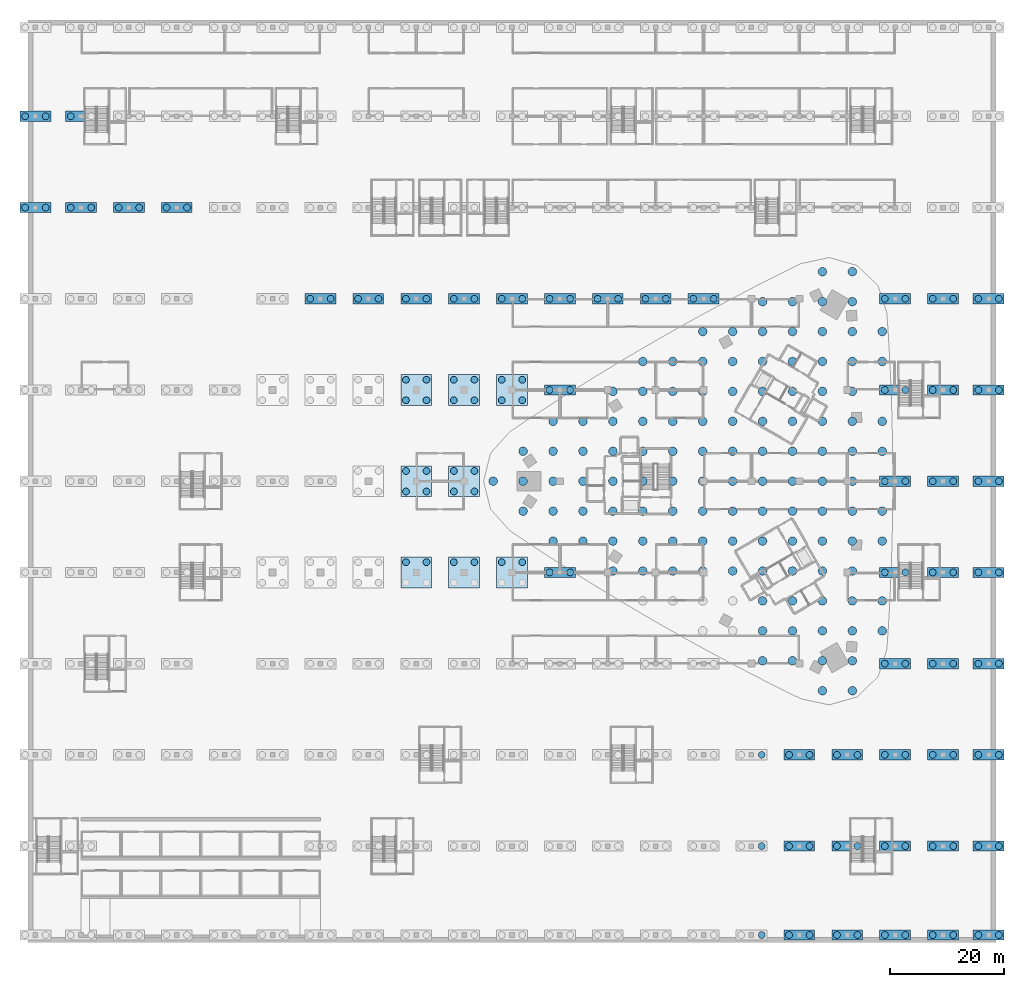
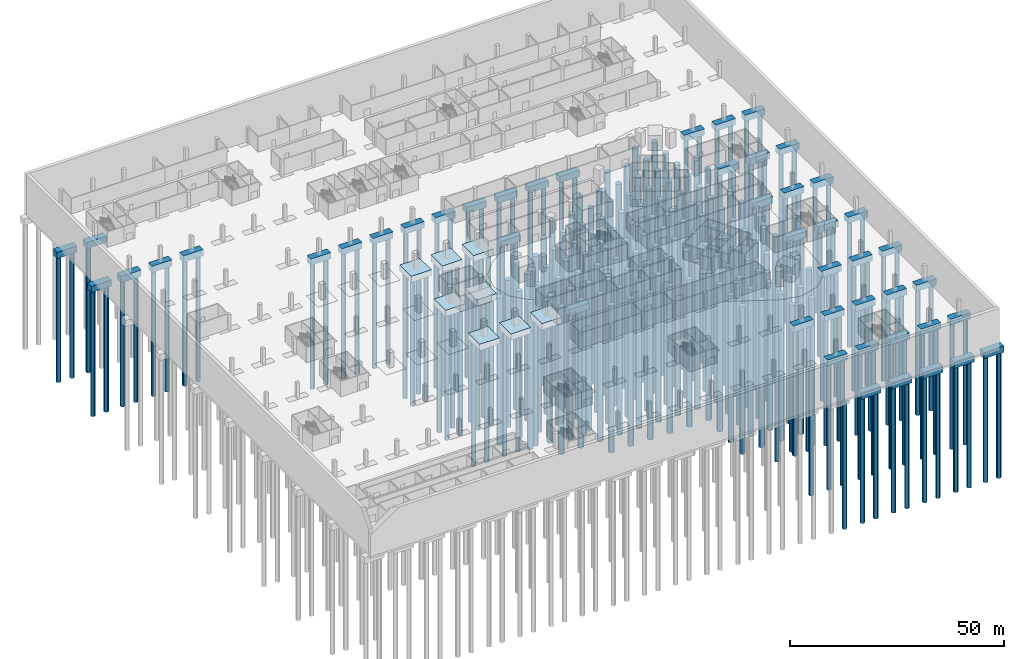
# One storey, part 2 of 46: 241 piles, 55 footings.
"""IFC4 building model written with IfcOpenShell, lengths in metres."""

from ifc_helpers import new_model, si_unit, direction, frame, origin, origin_2d, place, context, subcontext, project, spatial, rectangle, circle, extrude, material, material_profile, profile_set, type_object, element, save


model = new_model("IFC4")

# Units and contexts
model_context = context("Model", 3, precision=1e-05, world=origin(), true_north=direction((0.0, 1.0)))
body_context = subcontext(model_context, "Body", "Model", "MODEL_VIEW")
ifc_project = project(units=[si_unit("LENGTHUNIT", "METRE"), si_unit("AREAUNIT", "SQUARE_METRE"), si_unit("VOLUMEUNIT", "CUBIC_METRE"), si_unit("PLANEANGLEUNIT", "RADIAN"), si_unit("MASSUNIT", "GRAM", prefix="KILO")], contexts=[model_context])

# Site, building, storey
site_placement = place(None, origin())
site = spatial("IfcSite", under=ifc_project, at=site_placement, CompositionType="ELEMENT")
building_placement = place(site_placement, origin())
building = spatial("IfcBuilding", under=site, at=building_placement, Name="Tamra Quay Hotel Tower", CompositionType="ELEMENT")
storey_placement = place(building_placement, frame((0.0, 0.0, -12.0)))
storey = spatial("IfcBuildingStorey", under=building, at=storey_placement, Name="B3", CompositionType="ELEMENT", Elevation=-12.0)

# Piles
ifc_material_1 = material(Name="Concrete M40", Category="concrete")
ifc_material_profile_1 = material_profile(ifc_material_1, circle(Radius=0.60009765625, at=origin_2d()), Name="BORED PILE 1200")
ifc_profile_set_1 = profile_set([ifc_material_profile_1], Name="Concrete M40")
pile_type_1 = type_object("IfcPileType", Name="BORED PILE 1200", PredefinedType="BORED", material=ifc_profile_set_1)
for number, where, z_axis, x_axis, name in (
    (1, (-124.10009765625, 48.0, -1.60009765625), (0.0, 0.0, -1.0), (1.0, 0.0, 0.0), "PILE-BC009-1"),
    (2, (-120.5, 48.0, -1.60009765625), (0.0, 0.0, -1.0), (1.0, 0.0, 0.0), "PILE-BC009-2"),
    (3, (-124.10009765625, 64.0, -1.60009765625), (0.0, 0.0, -1.0), (1.0, 0.0, 0.0), "PILE-BC010-1"),
    (4, (-120.5, 64.0, -1.60009765625), (0.0, 0.0, -1.0), (1.0, 0.0, 0.0), "PILE-BC010-2"),
    (5, (-116.10009765625, 48.0, -1.60009765625), (0.0, 0.0, -1.0), (1.0, 0.0, 0.0), "PILE-BC020-1"),
    (6, (-112.5, 48.0, -1.60009765625), (0.0, 0.0, -1.0), (1.0, 0.0, 0.0), "PILE-BC020-2"),
    (7, (-116.10009765625, 64.0, -1.60009765625), (0.0, 0.0, -1.0), (1.0, 0.0, 0.0), "PILE-BC021-1"),
    (8, (-107.699951171875, 48.0, -1.60009765625), (0.0, 0.0, -1.0), (1.0, 0.0, 0.0), "PILE-BC030-1"),
    (9, (-104.10009765625, 48.0, -1.60009765625), (0.0, 0.0, -1.0), (1.0, 0.0, 0.0), "PILE-BC030-2"),
    (10, (-99.300048828125, 48.0, -1.60009765625), (0.0, 0.0, -1.0), (1.0, 0.0, 0.0), "PILE-BC040-1"),
    (11, (-95.699951171875, 48.0, -1.60009765625), (0.0, 0.0, -1.0), (1.0, 0.0, 0.0), "PILE-BC040-2"),
    (12, (-74.10009765625, 32.0, -1.60009765625), (0.0, 0.0, -1.0), (1.0, 0.0, 0.0), "PILE-BC068-1"),
    (13, (-70.5, 32.0, -1.60009765625), (0.0, 0.0, -1.0), (1.0, 0.0, 0.0), "PILE-BC068-2"),
    (14, (-65.699951171875, 32.0, -1.60009765625), (0.0, 0.0, -1.0), (1.0, 0.0, 0.0), "PILE-BC079-1"),
    (15, (-62.10009765625, 32.0, -1.60009765625), (0.0, 0.0, -1.0), (1.0, 0.0, 0.0), "PILE-BC079-2"),
    (16, (-57.300048828125, -14.199951171875, -1.60009765625), (0.0, 0.0, -1.0), (1.0, 0.0, 0.0), "PILE-BC087-3"),
    (17, (-53.699951171875, -14.199951171875, -1.60009765625), (0.0, 0.0, -1.0), (1.0, 0.0, 0.0), "PILE-BC087-4"),
    (18, (-57.300048828125, -1.800048828125, -1.60009765625), (0.0, 0.0, -1.0), (1.0, 0.0, 0.0), "PILE-BC088-1"),
    (19, (-53.699951171875, -1.800048828125, -1.60009765625), (0.0, 0.0, -1.0), (1.0, 0.0, 0.0), "PILE-BC088-2"),
    (20, (-57.300048828125, 1.800048828125, -1.60009765625), (0.0, 0.0, -1.0), (1.0, 0.0, 0.0), "PILE-BC088-3"),
    (21, (-53.699951171875, 1.800048828125, -1.60009765625), (0.0, 0.0, -1.0), (1.0, 0.0, 0.0), "PILE-BC088-4"),
    (22, (-57.300048828125, 14.199951171875, -1.60009765625), (0.0, 0.0, -1.0), (1.0, 0.0, 0.0), "PILE-BC089-1"),
    (23, (-53.699951171875, 14.199951171875, -1.60009765625), (0.0, 0.0, -1.0), (1.0, 0.0, 0.0), "PILE-BC089-2"),
    (24, (-57.300048828125, 17.800048828125, -1.60009765625), (0.0, 0.0, -1.0), (1.0, 0.0, 0.0), "PILE-BC089-3"),
    (25, (-53.699951171875, 17.800048828125, -1.60009765625), (0.0, 0.0, -1.0), (1.0, 0.0, 0.0), "PILE-BC089-4"),
    (26, (-57.300048828125, 32.0, -1.60009765625), (0.0, 0.0, -1.0), (1.0, 0.0, 0.0), "PILE-BC090-1"),
    (27, (-53.699951171875, 32.0, -1.60009765625), (0.0, 0.0, -1.0), (1.0, 0.0, 0.0), "PILE-BC090-2"),
    (28, (-48.89990234375, -14.199951171875, -1.60009765625), (0.0, 0.0, -1.0), (1.0, 0.0, 0.0), "PILE-BC098-3"),
    (29, (-45.300048828125, -14.199951171875, -1.60009765625), (0.0, 0.0, -1.0), (1.0, 0.0, 0.0), "PILE-BC098-4"),
    (30, (-48.89990234375, -1.800048828125, -1.60009765625), (0.0, 0.0, -1.0), (1.0, 0.0, 0.0), "PILE-BC099-1"),
    (31, (-45.300048828125, -1.800048828125, -1.60009765625), (0.0, 0.0, -1.0), (1.0, 0.0, 0.0), "PILE-BC099-2"),
    (32, (-48.89990234375, 1.800048828125, -1.60009765625), (0.0, 0.0, -1.0), (1.0, 0.0, 0.0), "PILE-BC099-3"),
    (33, (-45.300048828125, 1.800048828125, -1.60009765625), (0.0, 0.0, -1.0), (1.0, 0.0, 0.0), "PILE-BC099-4"),
    (34, (-48.89990234375, 14.199951171875, -1.60009765625), (0.0, 0.0, -1.0), (1.0, 0.0, 0.0), "PILE-BC100-1"),
    (35, (-45.300048828125, 14.199951171875, -1.60009765625), (0.0, 0.0, -1.0), (1.0, 0.0, 0.0), "PILE-BC100-2"),
    (36, (-48.89990234375, 17.800048828125, -1.60009765625), (0.0, 0.0, -1.0), (1.0, 0.0, 0.0), "PILE-BC100-3"),
    (37, (-45.300048828125, 17.800048828125, -1.60009765625), (0.0, 0.0, -1.0), (1.0, 0.0, 0.0), "PILE-BC100-4"),
    (38, (-48.89990234375, 32.0, -1.60009765625), (0.0, 0.0, -1.0), (1.0, 0.0, 0.0), "PILE-BC101-1"),
    (39, (-45.300048828125, 32.0, -1.60009765625), (0.0, 0.0, -1.0), (1.0, 0.0, 0.0), "PILE-BC101-2"),
    (40, (-40.5, -14.199951171875, -1.60009765625), (0.0, 0.0, -1.0), (1.0, 0.0, 0.0), "PILE-BC109-3"),
    (41, (-36.89990234375, -14.199951171875, -1.60009765625), (0.0, 0.0, -1.0), (1.0, 0.0, 0.0), "PILE-BC109-4"),
    (42, (-40.5, 14.199951171875, -1.60009765625), (0.0, 0.0, -1.0), (1.0, 0.0, 0.0), "PILE-BC110-1"),
    (43, (-36.89990234375, 14.199951171875, -1.60009765625), (0.0, 0.0, -1.0), (1.0, 0.0, 0.0), "PILE-BC110-2"),
    (44, (-40.5, 17.800048828125, -1.60009765625), (0.0, 0.0, -1.0), (1.0, 0.0, 0.0), "PILE-BC110-3"),
    (45, (-36.89990234375, 17.800048828125, -1.60009765625), (0.0, 0.0, -1.0), (1.0, 0.0, 0.0), "PILE-BC110-4"),
    (46, (-40.5, 32.0, -1.60009765625), (0.0, 0.0, -1.0), (1.0, 0.0, 0.0), "PILE-BC111-1"),
    (47, (-36.89990234375, 32.0, -1.60009765625), (0.0, 0.0, -1.0), (1.0, 0.0, 0.0), "PILE-BC111-2"),
    (48, (-32.10009765625, -16.0, -1.60009765625), (0.0, 0.0, -1.0), (1.0, 0.0, 0.0), "PILE-BC119-1"),
    (49, (-28.5, -16.0, -1.60009765625), (0.0, 0.0, -1.0), (1.0, 0.0, 0.0), "PILE-BC119-2"),
    (50, (-32.10009765625, 16.0, -1.60009765625), (0.0, 0.0, -1.0), (1.0, 0.0, 0.0), "PILE-BC121-1"),
    (51, (-28.5, 16.0, -1.60009765625), (0.0, 0.0, -1.0), (1.0, 0.0, 0.0), "PILE-BC121-2"),
    (52, (-32.10009765625, 32.0, -1.60009765625), (0.0, 0.0, -1.0), (1.0, 0.0, 0.0), "PILE-BC122-1"),
    (53, (-28.5, 32.0, -1.60009765625), (0.0, 0.0, -1.0), (1.0, 0.0, 0.0), "PILE-BC122-2"),
    (54, (-23.699951171875, 32.0, -1.60009765625), (0.0, 0.0, -1.0), (1.0, 0.0, 0.0), "PILE-BC132-1"),
    (55, (-20.10009765625, 32.0, -1.60009765625), (0.0, 0.0, -1.0), (1.0, 0.0, 0.0), "PILE-BC132-2"),
    (56, (-15.300048828125, 32.0, -1.60009765625), (0.0, 0.0, -1.0), (1.0, 0.0, 0.0), "PILE-BC142-1"),
    (57, (-11.699951171875, 32.0, -1.60009765625), (0.0, 0.0, -1.0), (1.0, 0.0, 0.0), "PILE-BC142-2"),
    (58, (-6.89990234375, 32.0, -1.60009765625), (0.0, 0.0, -1.0), (1.0, 0.0, 0.0), "PILE-BC153-1"),
    (59, (-3.300048828125, 32.0, -1.60009765625), (0.0, 0.0, -1.0), (1.0, 0.0, 0.0), "PILE-BC153-2"),
    (60, (5.10009765625, -79.60009765625, -1.60009765625), (0.0, 0.0, -1.0), (1.0, 0.0, 0.0), "PILE-BC157-2"),
    (61, (5.10009765625, -64.0, -1.60009765625), (0.0, 0.0, -1.0), (1.0, 0.0, 0.0), "PILE-BC158-2"),
    (62, (5.10009765625, -48.0, -1.60009765625), (0.0, 0.0, -1.0), (1.0, 0.0, 0.0), "PILE-BC159-2"),
    (63, (9.89990234375, -79.60009765625, -1.60009765625), (0.0, 0.0, -1.0), (1.0, 0.0, 0.0), "PILE-BC166-1"),
    (64, (13.5, -79.60009765625, -1.60009765625), (0.0, 0.0, -1.0), (1.0, 0.0, 0.0), "PILE-BC166-2"),
    (65, (9.89990234375, -64.0, -1.60009765625), (0.0, 0.0, -1.0), (1.0, 0.0, 0.0), "PILE-BC167-1"),
    (66, (13.5, -64.0, -1.60009765625), (0.0, 0.0, -1.0), (1.0, 0.0, 0.0), "PILE-BC167-2"),
    (67, (9.89990234375, -48.0, -1.60009765625), (0.0, 0.0, -1.0), (1.0, 0.0, 0.0), "PILE-BC168-1"),
    (68, (13.5, -48.0, -1.60009765625), (0.0, 0.0, -1.0), (1.0, 0.0, 0.0), "PILE-BC168-2"),
    (69, (18.300048828125, -79.60009765625, -1.60009765625), (0.0, 0.0, -1.0), (1.0, 0.0, 0.0), "PILE-BC175-1"),
    (70, (21.89990234375, -79.60009765625, -1.60009765625), (0.0, 0.0, -1.0), (1.0, 0.0, 0.0), "PILE-BC175-2"),
    (71, (18.300048828125, -64.0, -1.60009765625), (0.0, 0.0, -1.0), (1.0, 0.0, 0.0), "PILE-BC176-1"),
    (72, (21.89990234375, -64.0, -1.60009765625), (0.0, 0.0, -1.0), (1.0, 0.0, 0.0), "PILE-BC176-2"),
    (73, (18.300048828125, -48.0, -1.60009765625), (0.0, 0.0, -1.0), (1.0, 0.0, 0.0), "PILE-BC177-1"),
    (74, (21.89990234375, -48.0, -1.60009765625), (0.0, 0.0, -1.0), (1.0, 0.0, 0.0), "PILE-BC177-2"),
    (75, (26.699951171875, -79.60009765625, -1.60009765625), (0.0, 0.0, -1.0), (1.0, 0.0, 0.0), "PILE-BC184-1"),
    (76, (30.300048828125, -79.60009765625, -1.60009765625), (0.0, 0.0, -1.0), (1.0, 0.0, 0.0), "PILE-BC184-2"),
    (77, (26.699951171875, -64.0, -1.60009765625), (0.0, 0.0, -1.0), (1.0, 0.0, 0.0), "PILE-BC185-1"),
    (78, (30.300048828125, -64.0, -1.60009765625), (0.0, 0.0, -1.0), (1.0, 0.0, 0.0), "PILE-BC185-2"),
    (79, (26.699951171875, -48.0, -1.60009765625), (0.0, 0.0, -1.0), (1.0, 0.0, 0.0), "PILE-BC186-1"),
    (80, (30.300048828125, -48.0, -1.60009765625), (0.0, 0.0, -1.0), (1.0, 0.0, 0.0), "PILE-BC186-2"),
    (81, (26.699951171875, -32.0, -1.60009765625), (0.0, 0.0, -1.0), (1.0, 0.0, 0.0), "PILE-BC187-1"),
    (82, (30.300048828125, -32.0, -1.60009765625), (0.0, 0.0, -1.0), (1.0, 0.0, 0.0), "PILE-BC187-2"),
    (83, (26.699951171875, -16.0, -1.60009765625), (0.0, 0.0, -1.0), (1.0, 0.0, 0.0), "PILE-BC188-1"),
    (84, (30.300048828125, -16.0, -1.60009765625), (0.0, 0.0, -1.0), (1.0, 0.0, 0.0), "PILE-BC188-2"),
    (85, (26.699951171875, 0.0, -1.60009765625), (0.0, 0.0, -1.0), (1.0, 0.0, 0.0), "PILE-BC189-1"),
    (86, (30.300048828125, 0.0, -1.60009765625), (0.0, 0.0, -1.0), (1.0, 0.0, 0.0), "PILE-BC189-2"),
    (87, (26.699951171875, 16.0, -1.60009765625), (0.0, 0.0, -1.0), (1.0, 0.0, 0.0), "PILE-BC190-1"),
    (88, (30.300048828125, 16.0, -1.60009765625), (0.0, 0.0, -1.0), (1.0, 0.0, 0.0), "PILE-BC190-2"),
    (89, (26.699951171875, 32.0, -1.60009765625), (0.0, 0.0, -1.0), (1.0, 0.0, 0.0), "PILE-BC191-1"),
    (90, (30.300048828125, 32.0, -1.60009765625), (0.0, 0.0, -1.0), (1.0, 0.0, 0.0), "PILE-BC191-2"),
    (91, (35.10009765625, -79.60009765625, -1.60009765625), (0.0, 0.0, -1.0), (1.0, 0.0, 0.0), "PILE-BC195-1"),
    (92, (38.699951171875, -79.60009765625, -1.60009765625), (0.0, 0.0, -1.0), (1.0, 0.0, 0.0), "PILE-BC195-2"),
    (93, (35.10009765625, -64.0, -1.60009765625), (0.0, 0.0, -1.0), (1.0, 0.0, 0.0), "PILE-BC196-1"),
    (94, (38.699951171875, -64.0, -1.60009765625), (0.0, 0.0, -1.0), (1.0, 0.0, 0.0), "PILE-BC196-2"),
    (95, (35.10009765625, -48.0, -1.60009765625), (0.0, 0.0, -1.0), (1.0, 0.0, 0.0), "PILE-BC197-1"),
    (96, (38.699951171875, -48.0, -1.60009765625), (0.0, 0.0, -1.0), (1.0, 0.0, 0.0), "PILE-BC197-2"),
    (97, (35.10009765625, -32.0, -1.60009765625), (0.0, 0.0, -1.0), (1.0, 0.0, 0.0), "PILE-BC198-1"),
    (98, (38.699951171875, -32.0, -1.60009765625), (0.0, 0.0, -1.0), (1.0, 0.0, 0.0), "PILE-BC198-2"),
    (99, (35.10009765625, -16.0, -1.60009765625), (0.0, 0.0, -1.0), (1.0, 0.0, 0.0), "PILE-BC199-1"),
    (100, (38.699951171875, -16.0, -1.60009765625), (0.0, 0.0, -1.0), (1.0, 0.0, 0.0), "PILE-BC199-2"),
    (101, (35.10009765625, 0.0, -1.60009765625), (0.0, 0.0, -1.0), (1.0, 0.0, 0.0), "PILE-BC200-1"),
    (102, (38.699951171875, 0.0, -1.60009765625), (0.0, 0.0, -1.0), (1.0, 0.0, 0.0), "PILE-BC200-2"),
    (103, (35.10009765625, 16.0, -1.60009765625), (0.0, 0.0, -1.0), (1.0, 0.0, 0.0), "PILE-BC201-1"),
    (104, (38.699951171875, 16.0, -1.60009765625), (0.0, 0.0, -1.0), (1.0, 0.0, 0.0), "PILE-BC201-2"),
    (105, (35.10009765625, 32.0, -1.60009765625), (0.0, 0.0, -1.0), (1.0, 0.0, 0.0), "PILE-BC202-1"),
    (106, (38.699951171875, 32.0, -1.60009765625), (0.0, 0.0, -1.0), (1.0, 0.0, 0.0), "PILE-BC202-2"),
    (107, (43.10009765625, -79.60009765625, -1.60009765625), (0.0, 0.0, -1.0), (1.0, 0.0, 0.0), "PILE-BC206-1"),
    (108, (46.699951171875, -79.60009765625, -1.60009765625), (0.0, 0.0, -1.0), (1.0, 0.0, 0.0), "PILE-BC206-2"),
    (109, (43.10009765625, -64.0, -1.60009765625), (0.0, 0.0, -1.0), (1.0, 0.0, 0.0), "PILE-BC207-1"),
    (110, (46.699951171875, -64.0, -1.60009765625), (0.0, 0.0, -1.0), (1.0, 0.0, 0.0), "PILE-BC207-2"),
    (111, (43.10009765625, -48.0, -1.60009765625), (0.0, 0.0, -1.0), (1.0, 0.0, 0.0), "PILE-BC208-1"),
    (112, (46.699951171875, -48.0, -1.60009765625), (0.0, 0.0, -1.0), (1.0, 0.0, 0.0), "PILE-BC208-2"),
    (113, (43.10009765625, -32.0, -1.60009765625), (0.0, 0.0, -1.0), (1.0, 0.0, 0.0), "PILE-BC209-1"),
    (114, (46.699951171875, -32.0, -1.60009765625), (0.0, 0.0, -1.0), (1.0, 0.0, 0.0), "PILE-BC209-2"),
    (115, (43.10009765625, -16.0, -1.60009765625), (0.0, 0.0, -1.0), (1.0, 0.0, 0.0), "PILE-BC210-1"),
    (116, (46.699951171875, -16.0, -1.60009765625), (0.0, 0.0, -1.0), (1.0, 0.0, 0.0), "PILE-BC210-2"),
    (117, (43.10009765625, 0.0, -1.60009765625), (0.0, 0.0, -1.0), (1.0, 0.0, 0.0), "PILE-BC211-1"),
    (118, (46.699951171875, 0.0, -1.60009765625), (0.0, 0.0, -1.0), (1.0, 0.0, 0.0), "PILE-BC211-2"),
    (119, (43.10009765625, 16.0, -1.60009765625), (0.0, 0.0, -1.0), (1.0, 0.0, 0.0), "PILE-BC212-1"),
    (120, (46.699951171875, 16.0, -1.60009765625), (0.0, 0.0, -1.0), (1.0, 0.0, 0.0), "PILE-BC212-2"),
    (121, (43.10009765625, 32.0, -1.60009765625), (0.0, 0.0, -1.0), (1.0, 0.0, 0.0), "PILE-BC213-1"),
    (122, (46.699951171875, 32.0, -1.60009765625), (0.0, 0.0, -1.0), (1.0, 0.0, 0.0), "PILE-BC213-2"),
):
    element("IfcPile", number, at=place(storey_placement, frame(where, z_axis=z_axis, x_axis=x_axis)), inside=storey, type_object=pile_type_1, Name=name, PredefinedType="BORED", context=body_context, shape_type="SweptSolid", body=[
        extrude(circle(Radius=0.60009765625, at=origin_2d()), origin(), (0.0, 0.0, 1.0), 36.0),
    ])
ifc_material_profile_2 = material_profile(ifc_material_1, circle(Radius=0.75, at=origin_2d()), Name="BORED PILE 1500")
ifc_profile_set_2 = profile_set([ifc_material_profile_2], Name="Concrete M40")
pile_type_2 = type_object("IfcPileType", Name="BORED PILE 1500", PredefinedType="BORED", material=ifc_profile_set_2)
for number, where, z_axis, x_axis, name in (
    (123, (-42.0, 0.0, -3.300048828125), (0.0, 0.0, -1.0), (1.0, 0.0, 0.0), "PILE-R001"),
    (124, (-36.75, -5.25, -3.300048828125), (0.0, 0.0, -1.0), (1.0, 0.0, 0.0), "PILE-R002"),
    (125, (-36.75, 0.0, -3.300048828125), (0.0, 0.0, -1.0), (1.0, 0.0, 0.0), "PILE-R003"),
    (126, (-36.75, 5.25, -3.300048828125), (0.0, 0.0, -1.0), (1.0, 0.0, 0.0), "PILE-R004"),
    (127, (-31.5, -10.5, -3.300048828125), (0.0, 0.0, -1.0), (1.0, 0.0, 0.0), "PILE-R005"),
    (128, (-31.5, -5.25, -3.300048828125), (0.0, 0.0, -1.0), (1.0, 0.0, 0.0), "PILE-R006"),
    (129, (-31.5, 0.0, -3.300048828125), (0.0, 0.0, -1.0), (1.0, 0.0, 0.0), "PILE-R007"),
    (130, (-31.5, 5.25, -3.300048828125), (0.0, 0.0, -1.0), (1.0, 0.0, 0.0), "PILE-R008"),
    (131, (-31.5, 10.5, -3.300048828125), (0.0, 0.0, -1.0), (1.0, 0.0, 0.0), "PILE-R009"),
    (132, (-26.25, -10.5, -3.300048828125), (0.0, 0.0, -1.0), (1.0, 0.0, 0.0), "PILE-R010"),
    (133, (-26.25, -5.25, -3.300048828125), (0.0, 0.0, -1.0), (1.0, 0.0, 0.0), "PILE-R011"),
    (134, (-26.25, 0.0, -3.300048828125), (0.0, 0.0, -1.0), (1.0, 0.0, 0.0), "PILE-R012"),
    (135, (-26.25, 5.25, -3.300048828125), (0.0, 0.0, -1.0), (1.0, 0.0, 0.0), "PILE-R013"),
    (136, (-26.25, 10.5, -3.300048828125), (0.0, 0.0, -1.0), (1.0, 0.0, 0.0), "PILE-R014"),
    (137, (-21.0, -15.75, -3.300048828125), (0.0, 0.0, -1.0), (1.0, 0.0, 0.0), "PILE-R015"),
    (138, (-21.0, -10.5, -3.300048828125), (0.0, 0.0, -1.0), (1.0, 0.0, 0.0), "PILE-R016"),
    (139, (-21.0, -5.25, -3.300048828125), (0.0, 0.0, -1.0), (1.0, 0.0, 0.0), "PILE-R017"),
    (140, (-21.0, 0.0, -3.300048828125), (0.0, 0.0, -1.0), (1.0, 0.0, 0.0), "PILE-R018"),
    (141, (-21.0, 5.25, -3.300048828125), (0.0, 0.0, -1.0), (1.0, 0.0, 0.0), "PILE-R019"),
    (142, (-21.0, 10.5, -3.300048828125), (0.0, 0.0, -1.0), (1.0, 0.0, 0.0), "PILE-R020"),
    (143, (-21.0, 15.75, -3.300048828125), (0.0, 0.0, -1.0), (1.0, 0.0, 0.0), "PILE-R021"),
    (144, (-15.75, -15.75, -3.300048828125), (0.0, 0.0, -1.0), (1.0, 0.0, 0.0), "PILE-R023"),
    (145, (-15.75, -10.5, -3.300048828125), (0.0, 0.0, -1.0), (1.0, 0.0, 0.0), "PILE-R024"),
    (146, (-15.75, -5.25, -3.300048828125), (0.0, 0.0, -1.0), (1.0, 0.0, 0.0), "PILE-R025"),
    (147, (-15.75, 0.0, -3.300048828125), (0.0, 0.0, -1.0), (1.0, 0.0, 0.0), "PILE-R026"),
    (148, (-15.75, 5.25, -3.300048828125), (0.0, 0.0, -1.0), (1.0, 0.0, 0.0), "PILE-R027"),
    (149, (-15.75, 10.5, -3.300048828125), (0.0, 0.0, -1.0), (1.0, 0.0, 0.0), "PILE-R028"),
    (150, (-15.75, 15.75, -3.300048828125), (0.0, 0.0, -1.0), (1.0, 0.0, 0.0), "PILE-R029"),
    (151, (-15.75, 21.0, -3.300048828125), (0.0, 0.0, -1.0), (1.0, 0.0, 0.0), "PILE-R030"),
    (152, (-10.5, -15.75, -3.300048828125), (0.0, 0.0, -1.0), (1.0, 0.0, 0.0), "PILE-R032"),
    (153, (-10.5, -10.5, -3.300048828125), (0.0, 0.0, -1.0), (1.0, 0.0, 0.0), "PILE-R033"),
    (154, (-10.5, -5.25, -3.300048828125), (0.0, 0.0, -1.0), (1.0, 0.0, 0.0), "PILE-R034"),
    (155, (-10.5, 0.0, -3.300048828125), (0.0, 0.0, -1.0), (1.0, 0.0, 0.0), "PILE-R035"),
    (156, (-10.5, 5.25, -3.300048828125), (0.0, 0.0, -1.0), (1.0, 0.0, 0.0), "PILE-R036"),
    (157, (-10.5, 10.5, -3.300048828125), (0.0, 0.0, -1.0), (1.0, 0.0, 0.0), "PILE-R037"),
    (158, (-10.5, 15.75, -3.300048828125), (0.0, 0.0, -1.0), (1.0, 0.0, 0.0), "PILE-R038"),
    (159, (-10.5, 21.0, -3.300048828125), (0.0, 0.0, -1.0), (1.0, 0.0, 0.0), "PILE-R039"),
    (160, (-5.25, -15.75, -3.300048828125), (0.0, 0.0, -1.0), (1.0, 0.0, 0.0), "PILE-R042"),
    (161, (-5.25, -10.5, -3.300048828125), (0.0, 0.0, -1.0), (1.0, 0.0, 0.0), "PILE-R043"),
    (162, (-5.25, -5.25, -3.300048828125), (0.0, 0.0, -1.0), (1.0, 0.0, 0.0), "PILE-R044"),
    (163, (-5.25, 0.0, -3.300048828125), (0.0, 0.0, -1.0), (1.0, 0.0, 0.0), "PILE-R045"),
    (164, (-5.25, 5.25, -3.300048828125), (0.0, 0.0, -1.0), (1.0, 0.0, 0.0), "PILE-R046"),
    (165, (-5.25, 10.5, -3.300048828125), (0.0, 0.0, -1.0), (1.0, 0.0, 0.0), "PILE-R047"),
    (166, (-5.25, 15.75, -3.300048828125), (0.0, 0.0, -1.0), (1.0, 0.0, 0.0), "PILE-R048"),
    (167, (-5.25, 21.0, -3.300048828125), (0.0, 0.0, -1.0), (1.0, 0.0, 0.0), "PILE-R049"),
    (168, (-5.25, 26.25, -3.300048828125), (0.0, 0.0, -1.0), (1.0, 0.0, 0.0), "PILE-R050"),
    (169, (0.0, -15.75, -3.300048828125), (0.0, 0.0, -1.0), (1.0, 0.0, 0.0), "PILE-R053"),
    (170, (0.0, -10.5, -3.300048828125), (0.0, 0.0, -1.0), (1.0, 0.0, 0.0), "PILE-R054"),
    (171, (0.0, -5.25, -3.300048828125), (0.0, 0.0, -1.0), (1.0, 0.0, 0.0), "PILE-R055"),
    (172, (0.0, 0.0, -3.300048828125), (0.0, 0.0, -1.0), (1.0, 0.0, 0.0), "PILE-R056"),
    (173, (0.0, 5.25, -3.300048828125), (0.0, 0.0, -1.0), (1.0, 0.0, 0.0), "PILE-R057"),
    (174, (0.0, 10.5, -3.300048828125), (0.0, 0.0, -1.0), (1.0, 0.0, 0.0), "PILE-R058"),
    (175, (0.0, 15.75, -3.300048828125), (0.0, 0.0, -1.0), (1.0, 0.0, 0.0), "PILE-R059"),
    (176, (0.0, 21.0, -3.300048828125), (0.0, 0.0, -1.0), (1.0, 0.0, 0.0), "PILE-R060"),
    (177, (0.0, 26.25, -3.300048828125), (0.0, 0.0, -1.0), (1.0, 0.0, 0.0), "PILE-R061"),
    (178, (5.25, -31.5, -3.300048828125), (0.0, 0.0, -1.0), (1.0, 0.0, 0.0), "PILE-R062"),
    (179, (5.25, -26.25, -3.300048828125), (0.0, 0.0, -1.0), (1.0, 0.0, 0.0), "PILE-R063"),
    (180, (5.25, -21.0, -3.300048828125), (0.0, 0.0, -1.0), (1.0, 0.0, 0.0), "PILE-R064"),
    (181, (5.25, -15.75, -3.300048828125), (0.0, 0.0, -1.0), (1.0, 0.0, 0.0), "PILE-R065"),
    (182, (5.25, -10.5, -3.300048828125), (0.0, 0.0, -1.0), (1.0, 0.0, 0.0), "PILE-R066"),
    (183, (5.25, -5.25, -3.300048828125), (0.0, 0.0, -1.0), (1.0, 0.0, 0.0), "PILE-R067"),
    (184, (5.25, 0.0, -3.300048828125), (0.0, 0.0, -1.0), (1.0, 0.0, 0.0), "PILE-R068"),
    (185, (5.25, 5.25, -3.300048828125), (0.0, 0.0, -1.0), (1.0, 0.0, 0.0), "PILE-R069"),
    (186, (5.25, 10.5, -3.300048828125), (0.0, 0.0, -1.0), (1.0, 0.0, 0.0), "PILE-R070"),
    (187, (5.25, 15.75, -3.300048828125), (0.0, 0.0, -1.0), (1.0, 0.0, 0.0), "PILE-R071"),
    (188, (5.25, 21.0, -3.300048828125), (0.0, 0.0, -1.0), (1.0, 0.0, 0.0), "PILE-R072"),
    (189, (5.25, 26.25, -3.300048828125), (0.0, 0.0, -1.0), (1.0, 0.0, 0.0), "PILE-R073"),
    (190, (5.25, 31.5, -3.300048828125), (0.0, 0.0, -1.0), (1.0, 0.0, 0.0), "PILE-R074"),
    (191, (10.5, -31.5, -3.300048828125), (0.0, 0.0, -1.0), (1.0, 0.0, 0.0), "PILE-R075"),
    (192, (10.5, -26.25, -3.300048828125), (0.0, 0.0, -1.0), (1.0, 0.0, 0.0), "PILE-R076"),
    (193, (10.5, -21.0, -3.300048828125), (0.0, 0.0, -1.0), (1.0, 0.0, 0.0), "PILE-R077"),
    (194, (10.5, -15.75, -3.300048828125), (0.0, 0.0, -1.0), (1.0, 0.0, 0.0), "PILE-R078"),
    (195, (10.5, -10.5, -3.300048828125), (0.0, 0.0, -1.0), (1.0, 0.0, 0.0), "PILE-R079"),
    (196, (10.5, -5.25, -3.300048828125), (0.0, 0.0, -1.0), (1.0, 0.0, 0.0), "PILE-R080"),
    (197, (10.5, 0.0, -3.300048828125), (0.0, 0.0, -1.0), (1.0, 0.0, 0.0), "PILE-R081"),
    (198, (10.5, 5.25, -3.300048828125), (0.0, 0.0, -1.0), (1.0, 0.0, 0.0), "PILE-R082"),
    (199, (10.5, 10.5, -3.300048828125), (0.0, 0.0, -1.0), (1.0, 0.0, 0.0), "PILE-R083"),
    (200, (10.5, 15.75, -3.300048828125), (0.0, 0.0, -1.0), (1.0, 0.0, 0.0), "PILE-R084"),
    (201, (10.5, 21.0, -3.300048828125), (0.0, 0.0, -1.0), (1.0, 0.0, 0.0), "PILE-R085"),
    (202, (10.5, 26.25, -3.300048828125), (0.0, 0.0, -1.0), (1.0, 0.0, 0.0), "PILE-R086"),
    (203, (10.5, 31.5, -3.300048828125), (0.0, 0.0, -1.0), (1.0, 0.0, 0.0), "PILE-R087"),
    (204, (15.75, -36.75, -3.300048828125), (0.0, 0.0, -1.0), (1.0, 0.0, 0.0), "PILE-R088"),
    (205, (15.75, -31.5, -3.300048828125), (0.0, 0.0, -1.0), (1.0, 0.0, 0.0), "PILE-R089"),
    (206, (15.75, -26.25, -3.300048828125), (0.0, 0.0, -1.0), (1.0, 0.0, 0.0), "PILE-R090"),
    (207, (15.75, -21.0, -3.300048828125), (0.0, 0.0, -1.0), (1.0, 0.0, 0.0), "PILE-R091"),
    (208, (15.75, -15.75, -3.300048828125), (0.0, 0.0, -1.0), (1.0, 0.0, 0.0), "PILE-R092"),
    (209, (15.75, -10.5, -3.300048828125), (0.0, 0.0, -1.0), (1.0, 0.0, 0.0), "PILE-R093"),
    (210, (15.75, -5.25, -3.300048828125), (0.0, 0.0, -1.0), (1.0, 0.0, 0.0), "PILE-R094"),
    (211, (15.75, 0.0, -3.300048828125), (0.0, 0.0, -1.0), (1.0, 0.0, 0.0), "PILE-R095"),
    (212, (15.75, 5.25, -3.300048828125), (0.0, 0.0, -1.0), (1.0, 0.0, 0.0), "PILE-R096"),
    (213, (15.75, 10.5, -3.300048828125), (0.0, 0.0, -1.0), (1.0, 0.0, 0.0), "PILE-R097"),
    (214, (15.75, 15.75, -3.300048828125), (0.0, 0.0, -1.0), (1.0, 0.0, 0.0), "PILE-R098"),
    (215, (15.75, 21.0, -3.300048828125), (0.0, 0.0, -1.0), (1.0, 0.0, 0.0), "PILE-R099"),
    (216, (15.75, 26.25, -3.300048828125), (0.0, 0.0, -1.0), (1.0, 0.0, 0.0), "PILE-R100"),
    (217, (15.75, 31.5, -3.300048828125), (0.0, 0.0, -1.0), (1.0, 0.0, 0.0), "PILE-R101"),
    (218, (15.75, 36.75, -3.300048828125), (0.0, 0.0, -1.0), (1.0, 0.0, 0.0), "PILE-R102"),
    (219, (21.0, -36.75, -3.300048828125), (0.0, 0.0, -1.0), (1.0, 0.0, 0.0), "PILE-R103"),
    (220, (21.0, -31.5, -3.300048828125), (0.0, 0.0, -1.0), (1.0, 0.0, 0.0), "PILE-R104"),
    (221, (21.0, -26.25, -3.300048828125), (0.0, 0.0, -1.0), (1.0, 0.0, 0.0), "PILE-R105"),
    (222, (21.0, -21.0, -3.300048828125), (0.0, 0.0, -1.0), (1.0, 0.0, 0.0), "PILE-R106"),
    (223, (21.0, -15.75, -3.300048828125), (0.0, 0.0, -1.0), (1.0, 0.0, 0.0), "PILE-R107"),
    (224, (21.0, -10.5, -3.300048828125), (0.0, 0.0, -1.0), (1.0, 0.0, 0.0), "PILE-R108"),
    (225, (21.0, -5.25, -3.300048828125), (0.0, 0.0, -1.0), (1.0, 0.0, 0.0), "PILE-R109"),
    (226, (21.0, 0.0, -3.300048828125), (0.0, 0.0, -1.0), (1.0, 0.0, 0.0), "PILE-R110"),
    (227, (21.0, 5.25, -3.300048828125), (0.0, 0.0, -1.0), (1.0, 0.0, 0.0), "PILE-R111"),
    (228, (21.0, 10.5, -3.300048828125), (0.0, 0.0, -1.0), (1.0, 0.0, 0.0), "PILE-R112"),
    (229, (21.0, 15.75, -3.300048828125), (0.0, 0.0, -1.0), (1.0, 0.0, 0.0), "PILE-R113"),
    (230, (21.0, 21.0, -3.300048828125), (0.0, 0.0, -1.0), (1.0, 0.0, 0.0), "PILE-R114"),
    (231, (21.0, 26.25, -3.300048828125), (0.0, 0.0, -1.0), (1.0, 0.0, 0.0), "PILE-R115"),
    (232, (21.0, 31.5, -3.300048828125), (0.0, 0.0, -1.0), (1.0, 0.0, 0.0), "PILE-R116"),
    (233, (21.0, 36.75, -3.300048828125), (0.0, 0.0, -1.0), (1.0, 0.0, 0.0), "PILE-R117"),
    (234, (26.25, -26.25, -3.300048828125), (0.0, 0.0, -1.0), (1.0, 0.0, 0.0), "PILE-R118"),
    (235, (26.25, -21.0, -3.300048828125), (0.0, 0.0, -1.0), (1.0, 0.0, 0.0), "PILE-R119"),
    (236, (26.25, -10.5, -3.300048828125), (0.0, 0.0, -1.0), (1.0, 0.0, 0.0), "PILE-R120"),
    (237, (26.25, -5.25, -3.300048828125), (0.0, 0.0, -1.0), (1.0, 0.0, 0.0), "PILE-R121"),
    (238, (26.25, 5.25, -3.300048828125), (0.0, 0.0, -1.0), (1.0, 0.0, 0.0), "PILE-R122"),
    (239, (26.25, 10.5, -3.300048828125), (0.0, 0.0, -1.0), (1.0, 0.0, 0.0), "PILE-R123"),
    (240, (26.25, 21.0, -3.300048828125), (0.0, 0.0, -1.0), (1.0, 0.0, 0.0), "PILE-R124"),
    (241, (26.25, 26.25, -3.300048828125), (0.0, 0.0, -1.0), (1.0, 0.0, 0.0), "PILE-R125"),
):
    element("IfcPile", number, at=place(storey_placement, frame(where, z_axis=z_axis, x_axis=x_axis)), inside=storey, type_object=pile_type_2, Name=name, PredefinedType="BORED", context=body_context, shape_type="SweptSolid", body=[
        extrude(circle(Radius=0.75, at=origin_2d()), origin(), (0.0, 0.0, 1.0), 42.0),
    ])

# Footings
ifc_material_2 = material(Name="Concrete M50", Category="concrete")
footing_type_1 = type_object("IfcFootingType", Name="PILE CAP 2 PILES", PredefinedType="PILE_CAP", material=ifc_material_2)
for number, where, z_axis, x_axis, name in (
    (242, (-122.300048828125, 48.0, -1.7998046875), (0.0, 0.0, 1.0), (1.0, 0.0, 0.0), "CAP-BC009"),
    (243, (-122.300048828125, 64.0, -1.7998046875), (0.0, 0.0, 1.0), (1.0, 0.0, 0.0), "CAP-BC010"),
    (244, (-114.300048828125, 48.0, -1.7998046875), (0.0, 0.0, 1.0), (1.0, 0.0, 0.0), "CAP-BC020"),
    (245, (-114.300048828125, 64.0, -1.7998046875), (0.0, 0.0, 1.0), (1.0, 0.0, 0.0), "CAP-BC021"),
    (246, (-105.89990234375, 48.0, -1.7998046875), (0.0, 0.0, 1.0), (1.0, 0.0, 0.0), "CAP-BC030"),
    (247, (-97.5, 48.0, -1.7998046875), (0.0, 0.0, 1.0), (1.0, 0.0, 0.0), "CAP-BC040"),
    (248, (-72.300048828125, 32.0, -1.7998046875), (0.0, 0.0, 1.0), (1.0, 0.0, 0.0), "CAP-BC068"),
    (249, (-63.89990234375, 32.0, -1.7998046875), (0.0, 0.0, 1.0), (1.0, 0.0, 0.0), "CAP-BC079"),
    (250, (-55.5, 32.0, -1.7998046875), (0.0, 0.0, 1.0), (1.0, 0.0, 0.0), "CAP-BC090"),
    (251, (-47.10009765625, 32.0, -1.7998046875), (0.0, 0.0, 1.0), (1.0, 0.0, 0.0), "CAP-BC101"),
    (252, (-38.699951171875, 32.0, -1.7998046875), (0.0, 0.0, 1.0), (1.0, 0.0, 0.0), "CAP-BC111"),
    (253, (-30.300048828125, -16.0, -1.7998046875), (0.0, 0.0, 1.0), (1.0, 0.0, 0.0), "CAP-BC119"),
    (254, (-30.300048828125, 16.0, -1.7998046875), (0.0, 0.0, 1.0), (1.0, 0.0, 0.0), "CAP-BC121"),
    (255, (-30.300048828125, 32.0, -1.7998046875), (0.0, 0.0, 1.0), (1.0, 0.0, 0.0), "CAP-BC122"),
    (256, (-21.89990234375, 32.0, -1.7998046875), (0.0, 0.0, 1.0), (1.0, 0.0, 0.0), "CAP-BC132"),
    (257, (-13.5, 32.0, -1.7998046875), (0.0, 0.0, 1.0), (1.0, 0.0, 0.0), "CAP-BC142"),
    (258, (-5.10009765625, 32.0, -1.7998046875), (0.0, 0.0, 1.0), (1.0, 0.0, 0.0), "CAP-BC153"),
    (259, (11.699951171875, -79.60009765625, -1.7998046875), (0.0, 0.0, 1.0), (1.0, 0.0, 0.0), "CAP-BC166"),
    (260, (11.699951171875, -64.0, -1.7998046875), (0.0, 0.0, 1.0), (1.0, 0.0, 0.0), "CAP-BC167"),
    (261, (11.699951171875, -48.0, -1.7998046875), (0.0, 0.0, 1.0), (1.0, 0.0, 0.0), "CAP-BC168"),
    (262, (20.10009765625, -79.60009765625, -1.7998046875), (0.0, 0.0, 1.0), (1.0, 0.0, 0.0), "CAP-BC175"),
    (263, (20.10009765625, -64.0, -1.7998046875), (0.0, 0.0, 1.0), (1.0, 0.0, 0.0), "CAP-BC176"),
    (264, (20.10009765625, -48.0, -1.7998046875), (0.0, 0.0, 1.0), (1.0, 0.0, 0.0), "CAP-BC177"),
    (265, (28.5, -79.60009765625, -1.7998046875), (0.0, 0.0, 1.0), (1.0, 0.0, 0.0), "CAP-BC184"),
    (266, (28.5, -64.0, -1.7998046875), (0.0, 0.0, 1.0), (1.0, 0.0, 0.0), "CAP-BC185"),
    (267, (28.5, -48.0, -1.7998046875), (0.0, 0.0, 1.0), (1.0, 0.0, 0.0), "CAP-BC186"),
    (268, (28.5, -32.0, -1.7998046875), (0.0, 0.0, 1.0), (1.0, 0.0, 0.0), "CAP-BC187"),
    (269, (28.5, -16.0, -1.7998046875), (0.0, 0.0, 1.0), (1.0, 0.0, 0.0), "CAP-BC188"),
    (270, (28.5, 0.0, -1.7998046875), (0.0, 0.0, 1.0), (1.0, 0.0, 0.0), "CAP-BC189"),
    (271, (28.5, 16.0, -1.7998046875), (0.0, 0.0, 1.0), (1.0, 0.0, 0.0), "CAP-BC190"),
    (272, (28.5, 32.0, -1.7998046875), (0.0, 0.0, 1.0), (1.0, 0.0, 0.0), "CAP-BC191"),
    (273, (36.89990234375, -79.60009765625, -1.7998046875), (0.0, 0.0, 1.0), (1.0, 0.0, 0.0), "CAP-BC195"),
    (274, (36.89990234375, -64.0, -1.7998046875), (0.0, 0.0, 1.0), (1.0, 0.0, 0.0), "CAP-BC196"),
    (275, (36.89990234375, -48.0, -1.7998046875), (0.0, 0.0, 1.0), (1.0, 0.0, 0.0), "CAP-BC197"),
    (276, (36.89990234375, -32.0, -1.7998046875), (0.0, 0.0, 1.0), (1.0, 0.0, 0.0), "CAP-BC198"),
    (277, (36.89990234375, -16.0, -1.7998046875), (0.0, 0.0, 1.0), (1.0, 0.0, 0.0), "CAP-BC199"),
    (278, (36.89990234375, 0.0, -1.7998046875), (0.0, 0.0, 1.0), (1.0, 0.0, 0.0), "CAP-BC200"),
    (279, (36.89990234375, 16.0, -1.7998046875), (0.0, 0.0, 1.0), (1.0, 0.0, 0.0), "CAP-BC201"),
    (280, (36.89990234375, 32.0, -1.7998046875), (0.0, 0.0, 1.0), (1.0, 0.0, 0.0), "CAP-BC202"),
    (281, (44.89990234375, -79.60009765625, -1.7998046875), (0.0, 0.0, 1.0), (1.0, 0.0, 0.0), "CAP-BC206"),
    (282, (44.89990234375, -64.0, -1.7998046875), (0.0, 0.0, 1.0), (1.0, 0.0, 0.0), "CAP-BC207"),
    (283, (44.89990234375, -48.0, -1.7998046875), (0.0, 0.0, 1.0), (1.0, 0.0, 0.0), "CAP-BC208"),
    (284, (44.89990234375, -32.0, -1.7998046875), (0.0, 0.0, 1.0), (1.0, 0.0, 0.0), "CAP-BC209"),
    (285, (44.89990234375, -16.0, -1.7998046875), (0.0, 0.0, 1.0), (1.0, 0.0, 0.0), "CAP-BC210"),
    (286, (44.89990234375, 0.0, -1.7998046875), (0.0, 0.0, 1.0), (1.0, 0.0, 0.0), "CAP-BC211"),
    (287, (44.89990234375, 16.0, -1.7998046875), (0.0, 0.0, 1.0), (1.0, 0.0, 0.0), "CAP-BC212"),
    (288, (44.89990234375, 32.0, -1.7998046875), (0.0, 0.0, 1.0), (1.0, 0.0, 0.0), "CAP-BC213"),
):
    element("IfcFooting", number, at=place(storey_placement, frame(where, z_axis=z_axis, x_axis=x_axis)), inside=storey, type_object=footing_type_1, Name=name, PredefinedType="PILE_CAP", context=body_context, shape_type="SweptSolid", body=[
        extrude(rectangle(XDim=5.39990234375, YDim=1.800048828125, at=origin_2d()), origin(), (0.0, 0.0, 1.0), 1.800048828125),
    ])
footing_type_2 = type_object("IfcFootingType", Name="PILE CAP 4 PILES", PredefinedType="PILE_CAP", material=ifc_material_2)
for number, where, z_axis, x_axis, name in (
    (289, (-55.5, -16.0, -1.7998046875), (0.0, 0.0, 1.0), (1.0, 0.0, 0.0), "CAP-BC087"),
    (290, (-55.5, 0.0, -1.7998046875), (0.0, 0.0, 1.0), (1.0, 0.0, 0.0), "CAP-BC088"),
    (291, (-55.5, 16.0, -1.7998046875), (0.0, 0.0, 1.0), (1.0, 0.0, 0.0), "CAP-BC089"),
    (292, (-47.10009765625, -16.0, -1.7998046875), (0.0, 0.0, 1.0), (1.0, 0.0, 0.0), "CAP-BC098"),
    (293, (-47.10009765625, 0.0, -1.7998046875), (0.0, 0.0, 1.0), (1.0, 0.0, 0.0), "CAP-BC099"),
    (294, (-47.10009765625, 16.0, -1.7998046875), (0.0, 0.0, 1.0), (1.0, 0.0, 0.0), "CAP-BC100"),
    (295, (-38.699951171875, -16.0, -1.7998046875), (0.0, 0.0, 1.0), (1.0, 0.0, 0.0), "CAP-BC109"),
    (296, (-38.699951171875, 16.0, -1.7998046875), (0.0, 0.0, 1.0), (1.0, 0.0, 0.0), "CAP-BC110"),
):
    element("IfcFooting", number, at=place(storey_placement, frame(where, z_axis=z_axis, x_axis=x_axis)), inside=storey, type_object=footing_type_2, Name=name, PredefinedType="PILE_CAP", context=body_context, shape_type="SweptSolid", body=[
        extrude(rectangle(XDim=5.39990234375, YDim=5.39990234375, at=origin_2d()), origin(), (0.0, 0.0, 1.0), 1.800048828125),
    ])

save(model, "model.ifc")
